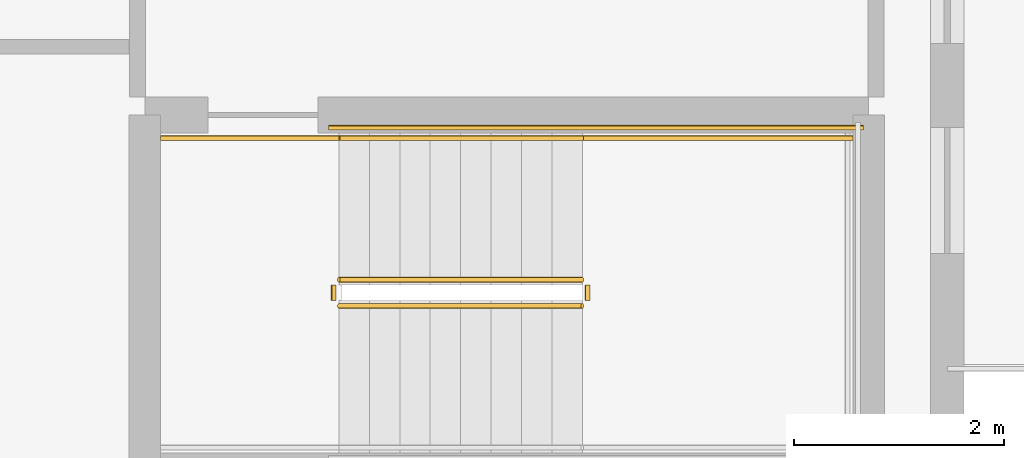
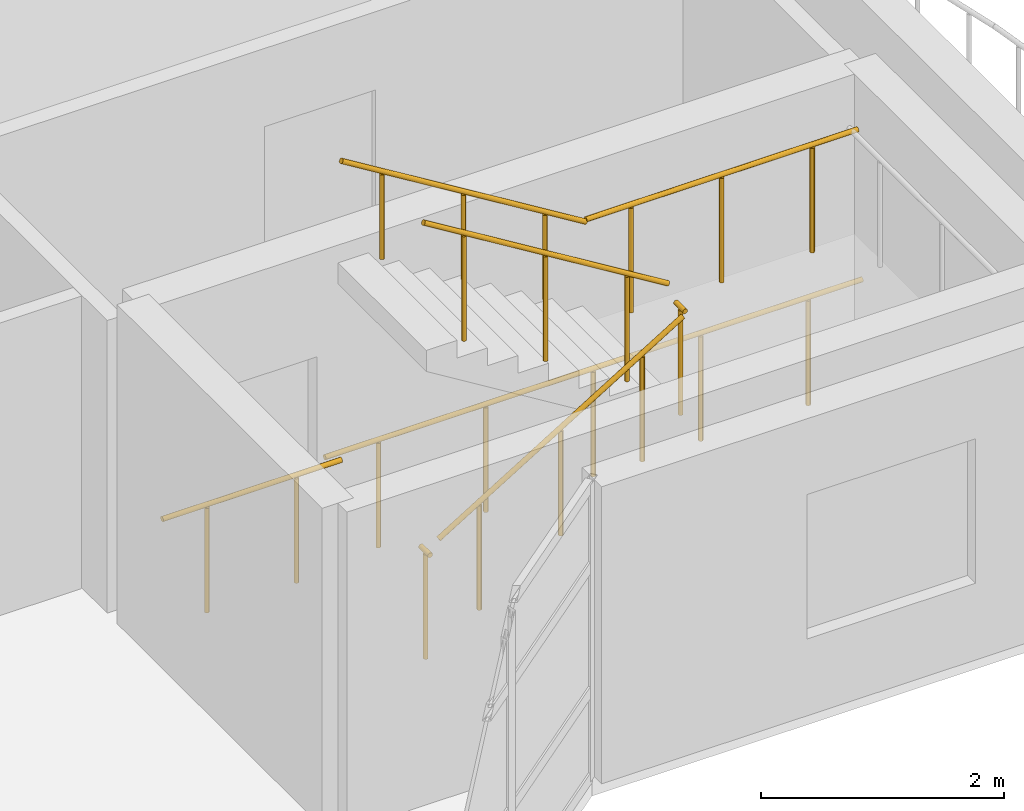
# One storey, part 48 of 54: 8 railings.
"""IFC4 building model written with IfcOpenShell, lengths in metres."""

from ifc_helpers import new_model, si_unit, direction, frame, origin, origin_2d, place, context, subcontext, project, spatial, circle, extrude, material, type_object, element, save


model = new_model("IFC4")

# Units and contexts
model_context = context("Model", 3, precision=1e-05, world=origin(), true_north=direction((0.0, 1.0)))
body_context = subcontext(model_context, "Body", "Model", "MODEL_VIEW")
ifc_project = project(units=[si_unit("LENGTHUNIT", "METRE"), si_unit("AREAUNIT", "SQUARE_METRE"), si_unit("VOLUMEUNIT", "CUBIC_METRE"), si_unit("PLANEANGLEUNIT", "RADIAN"), si_unit("MASSUNIT", "GRAM", prefix="KILO")], contexts=[model_context])

# Site, building, storey
site_placement = place(None, origin())
site = spatial("IfcSite", under=ifc_project, at=site_placement, CompositionType="ELEMENT")
building_placement = place(site_placement, origin())
building = spatial("IfcBuilding", under=site, at=building_placement, Name="Keldmere Railside Commons", CompositionType="ELEMENT")
storey_placement = place(building_placement, frame((0.0, 0.0, 26.56005859375)))
storey = spatial("IfcBuildingStorey", under=building, at=storey_placement, Name="L08", CompositionType="ELEMENT", Elevation=26.56005859375)

# Railings
ifc_material = material(Name="Steel F-24 (S235)", Category="steel")
railing_type_1 = type_object("IfcRailingType", Name="Stair Well Steel Guardrail 1100", PredefinedType="BALUSTRADE", material=ifc_material)
railing_1_placement = place(storey_placement, frame((131.699951171875, 102.0, 0.177734375)))
element("IfcRailing", 1, at=railing_1_placement, inside=storey, type_object=railing_type_1, Name="L08 ST-B2 stair guard 1", PredefinedType="BALUSTRADE", context=body_context, shape_type="SweptSolid", body=[
    extrude(circle(Radius=0.02392578125, at=origin_2d()), frame((0.0, 0.0, 1.076171875), z_axis=(0.852578041948, 0.0, 0.522599925744), x_axis=(0.0, 1.0, 0.0)), (0.0, 0.0, 1.0), 2.72119140625),
    extrude(circle(Radius=0.02099609375, at=origin_2d()), frame((0.38671875, 0.0, 0.237060546875)), (0.0, 0.0, 1.0), 1.048095703125),
    extrude(circle(Radius=0.02099609375, at=origin_2d()), frame((1.16015625, 0.0, 0.7109375)), (0.0, 0.0, 1.0), 1.048095703125),
    extrude(circle(Radius=0.02099609375, at=origin_2d()), frame((1.933349609375, 0.0, 1.18505859375)), (0.0, 0.0, 1.0), 1.048095703125),
])
railing_2_placement = place(storey_placement, frame((134.070068359375, 102.050048828125, 1.599853515625)))
element("IfcRailing", 2, at=railing_2_placement, inside=storey, type_object=railing_type_1, Name="L08 ST-B2 stair guard 2", PredefinedType="BALUSTRADE", context=body_context, shape_type="SweptSolid", body=[
    extrude(circle(Radius=0.02392578125, at=origin_2d()), frame((0.0, 0.0, 1.076171875), z_axis=(0.0, 1.0, 0.0), x_axis=(-1.0, 0.0, 0.0)), (0.0, 0.0, 1.0), 0.14990234375),
    extrude(circle(Radius=0.02099609375, at=origin_2d()), frame((0.0, 0.074951171875, 0.0)), (0.0, 0.0, 1.0), 1.048095703125),
])
railing_3_placement = place(storey_placement, frame((134.02001953125, 103.60009765625, 1.599853515625)))
element("IfcRailing", 3, at=railing_3_placement, inside=storey, type_object=railing_type_1, Name="L08 ST-B2 stair guard 4", PredefinedType="BALUSTRADE", context=body_context, shape_type="SweptSolid", body=[
    extrude(circle(Radius=0.02392578125, at=origin_2d()), frame((0.0, 0.0, 1.076171875), z_axis=(1.0, 0.0, 0.0), x_axis=(0.0, 1.0, 0.0)), (0.0, 0.0, 1.0), 2.580078125),
    extrude(circle(Radius=0.02099609375, at=origin_2d()), frame((0.429931640625, 0.0, 0.0)), (0.0, 0.0, 1.0), 1.048095703125),
    extrude(circle(Radius=0.02099609375, at=origin_2d()), frame((1.2900390625, 0.0, 0.0)), (0.0, 0.0, 1.0), 1.048095703125),
    extrude(circle(Radius=0.02099609375, at=origin_2d()), frame((2.150146484375, 0.0, 0.0)), (0.0, 0.0, 1.0), 1.048095703125),
])
railing_4_placement = place(storey_placement, frame((134.02001953125, 102.25, 1.77783203125)))
element("IfcRailing", 4, at=railing_4_placement, inside=storey, type_object=railing_type_1, Name="L08 ST-B2 stair guard 6", PredefinedType="BALUSTRADE", context=body_context, shape_type="SweptSolid", body=[
    extrude(circle(Radius=0.02392578125, at=origin_2d()), frame((0.0, 0.0, 1.076171875), z_axis=(-0.852578041948, 0.0, 0.522599925744), x_axis=(0.0, -1.0, 0.0)), (0.0, 0.0, 1.0), 2.72119140625),
    extrude(circle(Radius=0.02099609375, at=origin_2d()), frame((-0.38671875, 0.0, 0.237060546875)), (0.0, 0.0, 1.0), 1.048095703125),
    extrude(circle(Radius=0.02099609375, at=origin_2d()), frame((-1.16015625, 0.0, 0.7109375)), (0.0, 0.0, 1.0), 1.048095703125),
    extrude(circle(Radius=0.02099609375, at=origin_2d()), frame((-1.933349609375, 0.0, 1.18505859375)), (0.0, 0.0, 1.0), 1.048095703125),
])
railing_5_placement = place(storey_placement, frame((131.64990234375, 102.050048828125, 0.0)))
element("IfcRailing", 5, at=railing_5_placement, inside=storey, type_object=railing_type_1, Name="L08 ST-B2 stair guard 7", PredefinedType="BALUSTRADE", context=body_context, shape_type="SweptSolid", body=[
    extrude(circle(Radius=0.02392578125, at=origin_2d()), frame((0.0, 0.0, 1.076171875), z_axis=(0.0, 1.0, 0.0), x_axis=(-1.0, 0.0, 0.0)), (0.0, 0.0, 1.0), 0.14990234375),
    extrude(circle(Radius=0.02099609375, at=origin_2d()), frame((0.0, 0.074951171875, 0.0)), (0.0, 0.0, 1.0), 1.048095703125),
])
railing_6_placement = place(storey_placement, frame((130.0, 103.60009765625, 0.0)))
element("IfcRailing", 6, at=railing_6_placement, inside=storey, type_object=railing_type_1, Name="L08 ST-B2 stair guard 9", PredefinedType="BALUSTRADE", context=body_context, shape_type="SweptSolid", body=[
    extrude(circle(Radius=0.02392578125, at=origin_2d()), frame((0.0, 0.0, 1.076171875), z_axis=(1.0, 0.0, 0.0), x_axis=(0.0, 1.0, 0.0)), (0.0, 0.0, 1.0), 1.699951171875),
    extrude(circle(Radius=0.02099609375, at=origin_2d()), frame((0.425048828125, 0.0, 0.0)), (0.0, 0.0, 1.0), 1.048095703125),
    extrude(circle(Radius=0.02099609375, at=origin_2d()), frame((1.27490234375, 0.0, 0.0)), (0.0, 0.0, 1.0), 1.048095703125),
])
railing_7_placement = place(storey_placement, frame((131.60009765625, 103.699951171875, 0.0)))
element("IfcRailing", 7, at=railing_7_placement, inside=storey, type_object=railing_type_1, Name="L08 ST-B2 stair guard 11", PredefinedType="BALUSTRADE", context=body_context, shape_type="SweptSolid", body=[
    extrude(circle(Radius=0.02392578125, at=origin_2d()), frame((0.0, 0.0, 1.076171875), z_axis=(1.0, 0.0, 0.0), x_axis=(0.0, 1.0, 0.0)), (0.0, 0.0, 1.0), 5.099853515625),
    extrude(circle(Radius=0.02099609375, at=origin_2d()), frame((0.510009765625, 0.0, 0.0)), (0.0, 0.0, 1.0), 1.048095703125),
    extrude(circle(Radius=0.02099609375, at=origin_2d()), frame((1.530029296875, 0.0, 0.0)), (0.0, 0.0, 1.0), 1.048095703125),
    extrude(circle(Radius=0.02099609375, at=origin_2d()), frame((2.5498046875, 0.0, 0.0)), (0.0, 0.0, 1.0), 1.048095703125),
    extrude(circle(Radius=0.02099609375, at=origin_2d()), frame((3.56982421875, 0.0, 0.0)), (0.0, 0.0, 1.0), 1.048095703125),
    extrude(circle(Radius=0.02099609375, at=origin_2d()), frame((4.58984375, 0.0, 0.0)), (0.0, 0.0, 1.0), 1.048095703125),
])
railing_type_2 = type_object("IfcRailingType", Name="Wall-Mounted Tubular Steel Handrail 900", PredefinedType="HANDRAIL", material=ifc_material)
railing_8_placement = place(storey_placement, frame((134.02001953125, 103.60009765625, 1.77783203125)))
element("IfcRailing", 8, at=railing_8_placement, inside=storey, type_object=railing_type_2, Name="L08 ST-B2 stair handrail 2", PredefinedType="HANDRAIL", context=body_context, shape_type="SweptSolid", body=[
    extrude(circle(Radius=0.02392578125, at=origin_2d()), frame((0.0, 0.0, 0.8759765625), z_axis=(-0.852578041948, 0.0, 0.522599925744), x_axis=(0.0, -1.0, 0.0)), (0.0, 0.0, 1.0), 2.72119140625),
    extrude(circle(Radius=0.02099609375, at=origin_2d()), frame((-0.38671875, 0.0, 0.237060546875)), (0.0, 0.0, 1.0), 0.847900390625),
    extrude(circle(Radius=0.02099609375, at=origin_2d()), frame((-1.16015625, 0.0, 0.7109375)), (0.0, 0.0, 1.0), 0.847900390625),
    extrude(circle(Radius=0.02099609375, at=origin_2d()), frame((-1.933349609375, 0.0, 1.18505859375)), (0.0, 0.0, 1.0), 0.847900390625),
])

save(model, "model.ifc")
